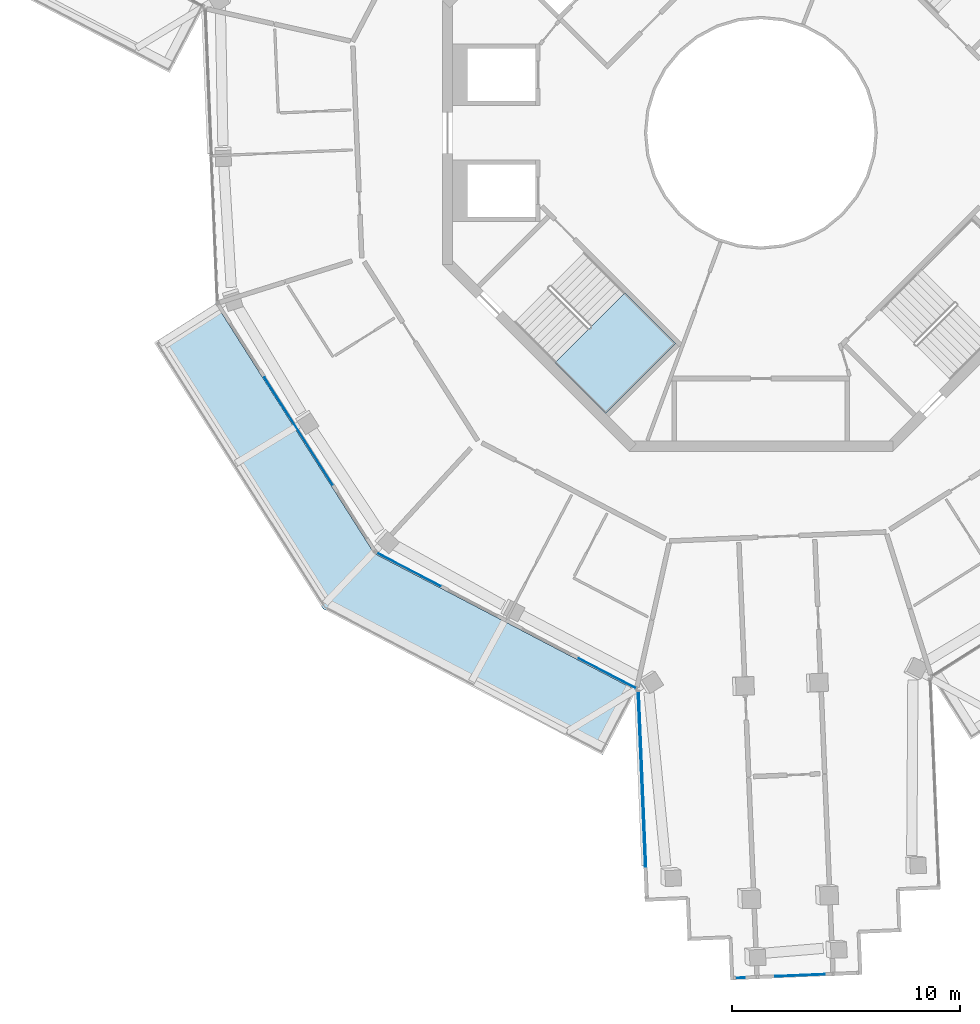
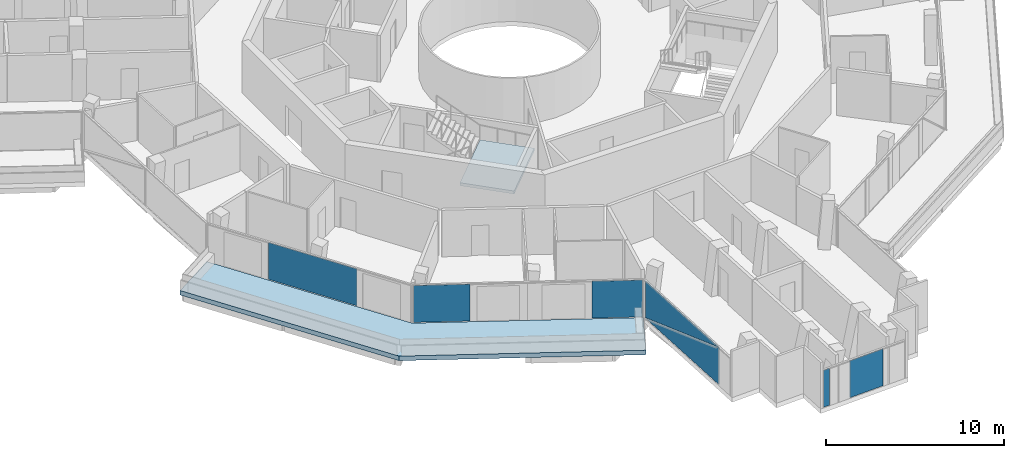
# One storey, part 10 of 23: 7 plates, 2 slabs, 5 elements without a shape of their own.
"""IFC4 building model written with IfcOpenShell, lengths in metres."""

from ifc_helpers import new_model, si_unit, direction, frame, origin, origin_2d, place, context, subcontext, project, spatial, polyline, rectangle, outline, extrude, material, layer, layer_set, type_object, element, aggregate, save


model = new_model("IFC4")

# Units and contexts
model_context = context("Model", 3, precision=1e-05, world=origin(), true_north=direction((0.0, 1.0)))
body_context = subcontext(model_context, "Body", "Model", "MODEL_VIEW")
ifc_project = project(units=[si_unit("LENGTHUNIT", "METRE"), si_unit("AREAUNIT", "SQUARE_METRE"), si_unit("VOLUMEUNIT", "CUBIC_METRE"), si_unit("PLANEANGLEUNIT", "RADIAN"), si_unit("MASSUNIT", "GRAM", prefix="KILO")], contexts=[model_context])

# Site, building, storey
site_placement = place(None, origin())
site = spatial("IfcSite", under=ifc_project, at=site_placement, CompositionType="ELEMENT")
building_placement = place(site_placement, origin())
building = spatial("IfcBuilding", under=site, at=building_placement, Name="Verdalira Terraces Hotel", CompositionType="ELEMENT")
storey_placement = place(building_placement, frame((0.0, 0.0, 288.0)))
storey = spatial("IfcBuildingStorey", under=building, at=storey_placement, Name="L71", CompositionType="ELEMENT", Elevation=288.0)

# Slab
ifc_material_1 = material(Name="Precast concrete C40/50", Category="concrete")
ifc_layer_1 = layer(ifc_material_1, 0.31005859375)
ifc_layer_set_1 = layer_set([ifc_layer_1], Name="Balcony deck 310")
slab_type_1 = type_object("IfcSlabType", Name="Balcony deck 310", PredefinedType="FLOOR", material=ifc_layer_set_1)
slab_1_placement = place(storey_placement, frame((0.0, 0.0, -0.310059)))
element("IfcSlab", 1, at=slab_1_placement, inside=storey, type_object=slab_type_1, Name="Balcony deck", PredefinedType="FLOOR", context=body_context, shape_type="SweptSolid", body=[
    extrude(outline(polyline([(-19.241455, -20.925049), (-6.960938, -27.345215), (-5.478516, -24.509277), (-16.999023, -18.486328), (-23.964844, -7.51001), (-26.666748, -9.224854), (-19.241455, -20.925049)])), origin(), (0.0, 0.0, 1.0), 0.310059),
])

# Curtain wall, plate
ifc_material_2 = material(Name="Clear glass", Category="glass")
ifc_layer_2 = layer(ifc_material_2, 0.14990234375)
ifc_layer_set_2 = layer_set([ifc_layer_2], Name="CW1 curtain wall")
curtain_wall_type_1 = type_object("IfcCurtainWallType", Name="CW1 curtain wall", PredefinedType="NOTDEFINED", material=ifc_layer_set_2)
curtain_wall_1_placement = place(storey_placement, origin())
curtain_wall_1 = element("IfcCurtainWall", 2, at=curtain_wall_1_placement, inside=storey, type_object=curtain_wall_type_1, Name="CW1 curtain wall L71 edge 12", PredefinedType="NOTDEFINED")
ifc_material_3 = material(Name="Clear glass", Category="glass")
ifc_layer_3 = layer(ifc_material_3, 0.028076171875)
ifc_layer_set_3 = layer_set([ifc_layer_3], Name="CW1 glass unit 28")
plate_type_1 = type_object("IfcPlateType", Name="CW1 glass unit 28", PredefinedType="CURTAIN_PANEL", material=ifc_layer_set_3)
plate_1_placement = place(storey_placement, frame((-20.322266, -13.110107, 0.0), z_axis=(0.0, 0.0, 1.0), x_axis=(0.535826795, -0.844327926, 0.0)))
plate_1 = element("IfcPlate", 3, at=plate_1_placement, type_object=plate_type_1, Name="CW1 glass unit", PredefinedType="CURTAIN_PANEL", context=body_context, shape_type="SweptSolid", body=[
    extrude(rectangle(XDim=5.586182, YDim=0.028076, at=origin_2d()), origin(), (0.0, 0.0, 1.0), 2.524902),
])
aggregate(curtain_wall_1, [plate_1])

# Curtain wall, plates
curtain_wall_2_placement = place(storey_placement, origin())
curtain_wall_2 = element("IfcCurtainWall", 4, at=curtain_wall_2_placement, inside=storey, type_object=curtain_wall_type_1, Name="CW1 curtain wall L71 edge 13", PredefinedType="NOTDEFINED")
plate_2_placement = place(storey_placement, frame((-15.47998, -19.196045, 0.0), z_axis=(0.0, 0.0, 1.0), x_axis=(0.886203579, -0.463296035, 0.0)))
plate_2 = element("IfcPlate", 5, at=plate_2_placement, type_object=plate_type_1, Name="CW1 glass unit", PredefinedType="CURTAIN_PANEL", context=body_context, shape_type="SweptSolid", body=[
    extrude(rectangle(XDim=3.149902, YDim=0.028076, at=origin_2d()), origin(), (0.0, 0.0, 1.0), 2.524902),
])
plate_3_placement = place(storey_placement, frame((-6.750244, -23.759766, 0.0), z_axis=(0.0, 0.0, 1.0), x_axis=(0.886203579, -0.463296035, 0.0)))
plate_3 = element("IfcPlate", 6, at=plate_3_placement, type_object=plate_type_1, Name="CW1 glass unit", PredefinedType="CURTAIN_PANEL", context=body_context, shape_type="SweptSolid", body=[
    extrude(rectangle(XDim=2.828613, YDim=0.028076, at=origin_2d()), origin(), (0.0, 0.0, 1.0), 2.524902),
])
aggregate(curtain_wall_2, [plate_2, plate_3])

ifc_material_4 = material(Name="Clear glass", Category="glass")
ifc_layer_4 = layer(ifc_material_4, 0.14990234375)
ifc_layer_set_4 = layer_set([ifc_layer_4], Name="CW2 curtain wall")
curtain_wall_type_2 = type_object("IfcCurtainWallType", Name="CW2 curtain wall", PredefinedType="NOTDEFINED", material=ifc_layer_set_4)
curtain_wall_3_placement = place(storey_placement, origin())
curtain_wall_3 = element("IfcCurtainWall", 7, at=curtain_wall_3_placement, inside=storey, type_object=curtain_wall_type_2, Name="CW2 curtain wall L71 edge 14", PredefinedType="NOTDEFINED")
ifc_material_5 = material(Name="Clear glass", Category="glass")
ifc_layer_5 = layer(ifc_material_5, 0.031982421875)
ifc_layer_set_5 = layer_set([ifc_layer_5], Name="CW2 glass unit 32")
plate_type_2 = type_object("IfcPlateType", Name="CW2 glass unit 32", PredefinedType="CURTAIN_PANEL", material=ifc_layer_set_5)
plate_4_placement = place(storey_placement, frame((-5.2229, -28.437988, 1.262451), z_axis=(-0.99912283, -0.041875654, 0.0), x_axis=(0.041875654, -0.99912283, 0.0)))
plate_4 = element("IfcPlate", 8, at=plate_4_placement, type_object=plate_type_2, Name="CW2 glass unit", PredefinedType="CURTAIN_PANEL", context=body_context, shape_type="SweptSolid", body=[
    extrude(outline(polyline([(-3.866211, -1.262451), (3.866211, -1.262451), (3.866211, 1.262451), (-3.866211, -1.262451)])), origin(), (0.0, 0.0, 1.0), 0.031982),
])
plate_5_placement = place(storey_placement, frame((-5.189941, -28.436768, 1.262451), z_axis=(-0.99912283, -0.041875654, 0.0), x_axis=(0.041875654, -0.99912283, 0.0)))
plate_5 = element("IfcPlate", 9, at=plate_5_placement, type_object=plate_type_2, Name="CW2 glass unit", PredefinedType="CURTAIN_PANEL", context=body_context, shape_type="SweptSolid", body=[
    extrude(outline(polyline([(-3.866211, -1.262451), (3.866211, 1.262451), (-3.866211, 1.262451), (-3.866211, -1.262451)])), origin(), (0.0, 0.0, 1.0), 0.031982),
])
aggregate(curtain_wall_3, [plate_4, plate_5])

ifc_material_6 = material(Name="Clear glass", Category="glass")
ifc_layer_6 = layer(ifc_material_6, 0.14990234375)
ifc_layer_set_6 = layer_set([ifc_layer_6], Name="CW3 curtain wall")
curtain_wall_type_3 = type_object("IfcCurtainWallType", Name="CW3 curtain wall", PredefinedType="NOTDEFINED", material=ifc_layer_set_6)
curtain_wall_4_placement = place(storey_placement, origin())
curtain_wall_4 = element("IfcCurtainWall", 10, at=curtain_wall_4_placement, inside=storey, type_object=curtain_wall_type_3, Name="CW3 curtain wall L71 edge 19", PredefinedType="NOTDEFINED")
ifc_material_7 = material(Name="Clear glass", Category="glass")
ifc_layer_7 = layer(ifc_material_7, 0.035888671875)
ifc_layer_set_7 = layer_set([ifc_layer_7], Name="CW3 glass unit 36")
plate_type_3 = type_object("IfcPlateType", Name="CW3 glass unit 36", PredefinedType="CURTAIN_PANEL", material=ifc_layer_set_7)
plate_6_placement = place(storey_placement, frame((-0.915283, -37.146484, 0.0), z_axis=(0.0, 0.0, 1.0), x_axis=(0.99912283, 0.041875654, 0.0)))
plate_6 = element("IfcPlate", 11, at=plate_6_placement, type_object=plate_type_3, Name="CW3 glass unit", PredefinedType="CURTAIN_PANEL", context=body_context, shape_type="SweptSolid", body=[
    extrude(rectangle(XDim=0.399902, YDim=0.035889, at=origin_2d()), origin(), (0.0, 0.0, 1.0), 2.524902),
])
plate_7_placement = place(storey_placement, frame((1.736084, -37.0354, 0.0), z_axis=(0.0, 0.0, 1.0), x_axis=(0.99912283, 0.041875654, 0.0)))
plate_7 = element("IfcPlate", 12, at=plate_7_placement, type_object=plate_type_3, Name="CW3 glass unit", PredefinedType="CURTAIN_PANEL", context=body_context, shape_type="SweptSolid", body=[
    extrude(rectangle(XDim=2.195801, YDim=0.035889, at=origin_2d()), origin(), (0.0, 0.0, 1.0), 2.524902),
])
aggregate(curtain_wall_4, [plate_6, plate_7])

# Stair, slab
ifc_material_8 = material(Name="Concrete C40", Category="concrete")
stair_type = type_object("IfcStairType", Name="Core stair 20 risers 2125 mm wide", PredefinedType="HALF_TURN_STAIR", material=ifc_material_8)
stair_placement = place(storey_placement, origin())
stair = element("IfcStair", 13, at=stair_placement, inside=storey, type_object=stair_type, Name="L71 Exit stair ST2", PredefinedType="HALF_TURN_STAIR")
ifc_material_9 = material(Name="Concrete C40", Category="concrete")
ifc_layer_8 = layer(ifc_material_9, 0.199951171875)
ifc_layer_set_8 = layer_set([ifc_layer_8], Name="Core stair landing 200 mm")
slab_type_2 = type_object("IfcSlabType", Name="Core stair landing 200 mm", PredefinedType="LANDING", material=ifc_layer_set_8)
slab_2_placement = place(storey_placement, frame((0.0, 0.0, 1.550049)))
slab_2 = element("IfcSlab", 14, at=slab_2_placement, type_object=slab_type_2, Name="ST2 landing 1", PredefinedType="LANDING", context=body_context, shape_type="SweptSolid", body=[
    extrude(outline(polyline([(-9.054932, -10.107666), (-6.823486, -12.339111), (-3.747559, -9.263184), (-5.979004, -7.031738), (-9.054932, -10.107666)])), origin(), (0.0, 0.0, 1.0), 0.199951),
])
aggregate(stair, [slab_2])

save(model, "model.ifc")
